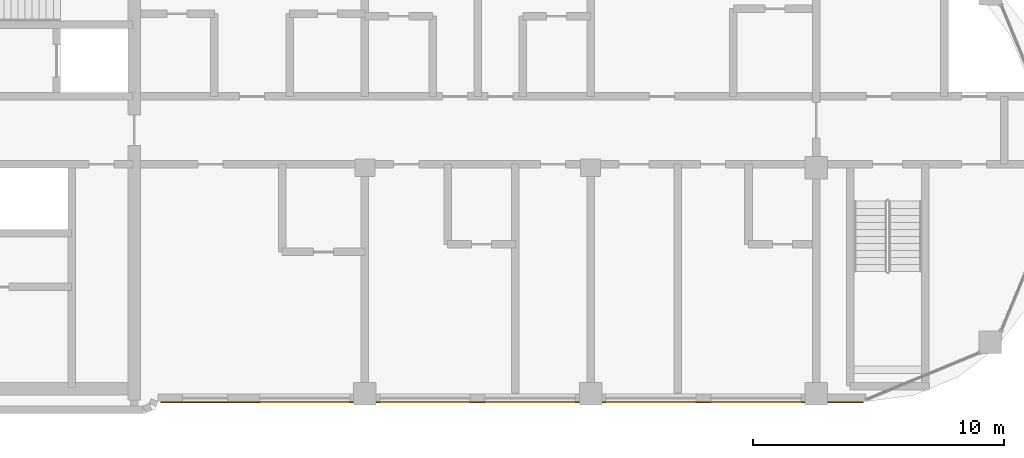
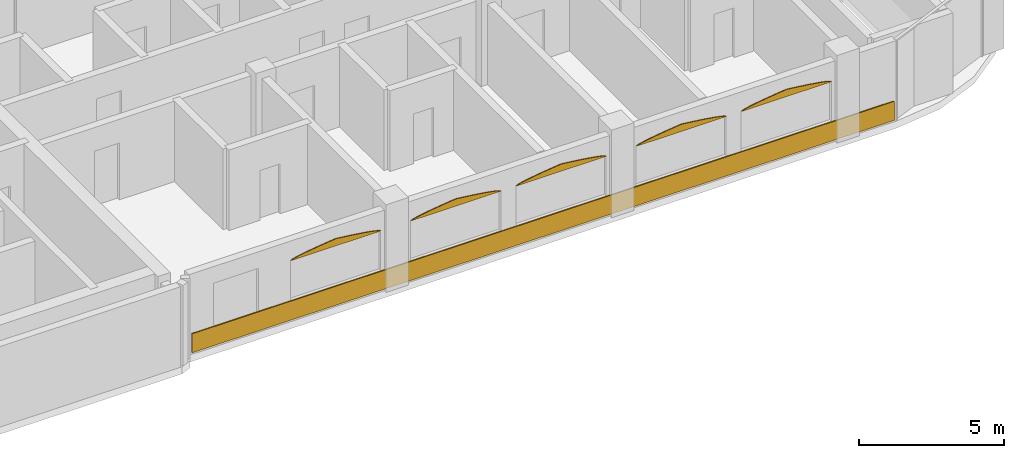
# One storey, part 16 of 17: 6 coverings.
"""IFC4 building model written with IfcOpenShell, lengths in metres."""

import ifcopenshell
import ifcopenshell.guid

model = None  # the IFC model being written
_history = None  # IfcOwnerHistory: only IFC2X3 demands one
_inside = {}  # id of a spatial element -> (the spatial element, [elements in it])
_under = {}  # id of a project, library or spatial element -> (it, [spatial elements below it])
_declared = {}  # id of a project -> (the project, [libraries it declares])
_typed = {}  # id of a type object -> (the type object, [elements of that type])
_made_of = {}  # id of a material, layer set ... -> (it, [elements and type objects made of it])


def new_model(schema):
    """Start an empty IFC model of exactly this schema.

    Asked for "IFC4X3", IfcOpenShell would pick the latest addendum, in which some entities
    have other attributes; the version numbers below select the first issue.
    IFC2X3 requires an IfcOwnerHistory on every rooted entity: one is made here for all.
    """
    global model, _history
    if schema == "IFC4X3":
        model = ifcopenshell.file(schema_version=(4, 3, 0, 0))
    else:
        model = ifcopenshell.file(schema=schema)
    _inside.clear()
    _under.clear()
    _declared.clear()
    _typed.clear()
    _made_of.clear()
    _history = None
    if model.schema == "IFC2X3":
        org = make("IfcOrganization", Name="unknown")
        user = make(
            "IfcPersonAndOrganization",
            ThePerson=make("IfcPerson", FamilyName="unknown"),
            TheOrganization=org,
        )
        app = make(
            "IfcApplication",
            ApplicationDeveloper=org,
            Version="unknown",
            ApplicationFullName="unknown",
            ApplicationIdentifier="unknown",
        )
        _history = make(
            "IfcOwnerHistory",
            OwningUser=user,
            OwningApplication=app,
            ChangeAction="ADDED",
            CreationDate=0,
        )
    return model


def make(cls, **values):
    """One entity of the class cls with the attributes given. An attribute that is None is left unset."""
    return model.create_entity(
        cls, **{name: value for name, value in values.items() if value is not None}
    )


def rooted(cls, **values):
    """An entity with a GlobalId (a new one), such as an element, a storey or a relation."""
    return make(cls, GlobalId=ifcopenshell.guid.new(), OwnerHistory=_history, **values)


def si_unit(unit_type, name, prefix=None):
    """IfcSIUnit, for example si_unit("LENGTHUNIT", "METRE", prefix="MILLI")."""
    return make("IfcSIUnit", UnitType=unit_type, Prefix=prefix, Name=name)


def assignment(units):
    """IfcUnitAssignment: the units of a project."""
    return None if units is None else make("IfcUnitAssignment", Units=units)


def point(xyz):
    """IfcCartesianPoint."""
    return None if xyz is None else make("IfcCartesianPoint", Coordinates=xyz)


def direction(xyz):
    """IfcDirection."""
    return None if xyz is None else make("IfcDirection", DirectionRatios=xyz)


def frame(location, z_axis=None, x_axis=None):
    """IfcAxis2Placement3D, a coordinate frame: its origin and axes. An axis left out is left unset."""
    return make(
        "IfcAxis2Placement3D",
        Location=point(location),
        Axis=direction(z_axis),
        RefDirection=direction(x_axis),
    )


def frame_2d(location, x_axis=None):
    """IfcAxis2Placement2D, a coordinate frame in the plane: its origin and x axis."""
    return make(
        "IfcAxis2Placement2D", Location=point(location), RefDirection=direction(x_axis)
    )


def origin():
    """The frame at (0, 0, 0) with its axes left unset."""
    return frame((0.0, 0.0, 0.0))


def origin_2d():
    """The frame at (0, 0) in the plane with its x axis left unset."""
    return frame_2d((0.0, 0.0))


def place(relative_to, where):
    """IfcLocalPlacement: puts the frame where relative to a parent placement (None: the world)."""
    return make(
        "IfcLocalPlacement", PlacementRelTo=relative_to, RelativePlacement=where
    )


def context(
    kind, dimensions, precision=None, world=None, true_north=None, identifier=None
):
    """IfcGeometricRepresentationContext, for example the 3D "Model" context."""
    return make(
        "IfcGeometricRepresentationContext",
        ContextIdentifier=identifier,
        ContextType=kind,
        CoordinateSpaceDimension=dimensions,
        Precision=precision,
        WorldCoordinateSystem=world,
        TrueNorth=true_north,
    )


def subcontext(parent, identifier, kind, view, scale=None):
    """IfcGeometricRepresentationSubContext, for example "Body" below "Model"."""
    return make(
        "IfcGeometricRepresentationSubContext",
        ContextIdentifier=identifier,
        ContextType=kind,
        ParentContext=parent,
        TargetScale=scale,
        TargetView=view,
    )


def project(units=None, contexts=None):
    """IfcProject with its units and contexts."""
    return rooted(
        "IfcProject",
        Name="project",
        RepresentationContexts=contexts,
        UnitsInContext=assignment(units),
    )


def spatial(cls, under=None, at=None, **own):
    """A site, building, storey or space (cls), placed at a placement, below another one or the project."""
    s = rooted(cls, ObjectPlacement=at, **own)
    if under is not None:
        _under.setdefault(under.id(), (under, []))[1].append(s)
    return s


def polyline(points):
    """IfcPolyline through the points."""
    return make("IfcPolyline", Points=[point(p) for p in points])


def profile(cls, at=None, kind="AREA", **sizes):
    """A parametric profile (cls). Its sizes go by their IFC names, for example OverallWidth=200.0."""
    return make(cls, ProfileType=kind, Position=at, **sizes)


def rectangle(**sizes):
    """IfcRectangleProfileDef."""
    return profile("IfcRectangleProfileDef", **sizes)


def outline(outer, holes=None, kind="AREA"):
    """IfcArbitraryClosedProfileDef: a profile drawn as a closed curve; with holes, ...WithVoids."""
    if holes is None:
        return make("IfcArbitraryClosedProfileDef", ProfileType=kind, OuterCurve=outer)
    return make(
        "IfcArbitraryProfileDefWithVoids",
        ProfileType=kind,
        OuterCurve=outer,
        InnerCurves=holes,
    )


def extrude(swept, where, along, depth):
    """IfcExtrudedAreaSolid: the profile swept, set in the frame where, extruded along a direction by depth."""
    return make(
        "IfcExtrudedAreaSolid",
        SweptArea=swept,
        Position=where,
        ExtrudedDirection=direction(along),
        Depth=depth,
    )


def shape(context_of_items, identifier, shape_type, items):
    """IfcShapeRepresentation: the items that make up one representation, for example the "Body"."""
    return make(
        "IfcShapeRepresentation",
        ContextOfItems=context_of_items,
        RepresentationIdentifier=identifier,
        RepresentationType=shape_type,
        Items=items,
    )


def material(Name=None, Category=None):
    """IfcMaterial."""
    return make("IfcMaterial", Name=Name, Category=Category)


def layer(
    of_material, thickness, ventilated=None, Name=None, Category=None, Priority=None
):
    """IfcMaterialLayer: one layer of a wall or slab, of a material (None: an air gap)."""
    return make(
        "IfcMaterialLayer",
        Material=of_material,
        LayerThickness=thickness,
        IsVentilated=ventilated,
        Name=Name,
        Category=Category,
        Priority=Priority,
    )


def layer_set(layers, Name=None):
    """IfcMaterialLayerSet."""
    return make("IfcMaterialLayerSet", MaterialLayers=layers, LayerSetName=Name)


def made_of(thing, what):
    """Note that an element or type object is made of a material, layer set ...; save() writes the relation."""
    if what is not None:
        _made_of.setdefault(what.id(), (what, []))[1].append(thing)
    return thing


def type_object(cls, material=None, **own):
    """A type object (cls), such as IfcWallType, which elements share."""
    return made_of(rooted(cls, **own), material)


def element(
    cls,
    number,
    at=None,
    inside=None,
    cuts=None,
    type_object=None,
    material=None,
    context=None,
    identifier="Body",
    shape_type=None,
    held_by="IfcProductDefinitionShape",
    body=None,
    shapes=None,
    **own,
):
    """One element of the class cls, such as IfcWall. Its Tag is "e" and its number.

    at: its placement. inside: the storey or other place that contains it. cuts: it is an
    opening in that element (IfcRelVoidsElement). A single representation is given by context,
    identifier, shape_type and body (its items); several are given by shapes. held_by: the class
    of the entity that holds the representations. save() writes the other relations.
    """
    e = rooted(cls, Tag="e%d" % number, ObjectPlacement=at, **own)
    if body is not None:
        shapes = [shape(context, identifier, shape_type, body)]
    if shapes is not None:
        e.Representation = make(held_by, Representations=shapes)
    if inside is not None:
        _inside.setdefault(inside.id(), (inside, []))[1].append(e)
    if cuts is not None:
        rooted(
            "IfcRelVoidsElement", RelatingBuildingElement=cuts, RelatedOpeningElement=e
        )
    if type_object is not None:
        _typed.setdefault(type_object.id(), (type_object, []))[1].append(e)
    return made_of(e, material)


def aggregate(whole, parts):
    """IfcRelAggregates: a whole, such as a stair, and the parts it consists of."""
    return rooted("IfcRelAggregates", RelatingObject=whole, RelatedObjects=parts)


def save(model, path):
    """Write the relations noted so far, then the file.

    IfcRelAggregates (storeys below a building ...), IfcRelContainedInSpatialStructure (elements
    in a storey), IfcRelDefinesByType, IfcRelAssociatesMaterial and IfcRelDeclares: one each for
    every whole, place, type object, material and project.
    """
    for whole, parts in _under.values():
        aggregate(whole, parts)
    for where, things in _inside.values():
        rooted(
            "IfcRelContainedInSpatialStructure",
            RelatedElements=things,
            RelatingStructure=where,
        )
    for kind, things in _typed.values():
        rooted("IfcRelDefinesByType", RelatedObjects=things, RelatingType=kind)
    for what, things in _made_of.values():
        rooted("IfcRelAssociatesMaterial", RelatedObjects=things, RelatingMaterial=what)
    for by, libraries in _declared.values():
        rooted("IfcRelDeclares", RelatingContext=by, RelatedDefinitions=libraries)
    model.write(path)


model = new_model("IFC4")

# Units and contexts
model_context = context("Model", 3, precision=1e-05, world=origin(), true_north=direction((0.0, 1.0)))
body_context = subcontext(model_context, "Body", "Model", "MODEL_VIEW")
ifc_project = project(units=[si_unit("LENGTHUNIT", "METRE"), si_unit("AREAUNIT", "SQUARE_METRE"), si_unit("VOLUMEUNIT", "CUBIC_METRE"), si_unit("PLANEANGLEUNIT", "RADIAN"), si_unit("MASSUNIT", "GRAM", prefix="KILO")], contexts=[model_context])

# Site, building, storey
site_placement = place(None, origin())
site = spatial("IfcSite", under=ifc_project, at=site_placement, CompositionType="ELEMENT")
building_placement = place(site_placement, origin())
building = spatial("IfcBuilding", under=site, at=building_placement, Name="Ogive Portal Towers", CompositionType="ELEMENT")
storey_placement = place(building_placement, frame((0.0, 0.0, 221.699951171875)))
storey = spatial("IfcBuildingStorey", under=building, at=storey_placement, Name="L55", CompositionType="ELEMENT", Elevation=221.699951171875)

# Coverings
ifc_material = material(Name="Limestone cladding on lightweight block wall", Category="masonry")
ifc_layer_1 = layer(ifc_material, 0.0400390625)
ifc_layer_set_1 = layer_set([ifc_layer_1], Name="LANCET HEAD STONE")
covering_type_1 = type_object("IfcCoveringType", Name="LANCET HEAD STONE", PredefinedType="CLADDING", material=ifc_layer_set_1)
covering_1_placement = place(storey_placement, frame((63.300048828125, 21.179931640625, 2.60009765625), z_axis=(0.0, 0.999955558449, 0.009427678766), x_axis=(1.0, 0.0, 0.0)))
element("IfcCovering", 1, at=covering_1_placement, inside=storey, type_object=covering_type_1, Name="Lancet head", PredefinedType="CLADDING", context=body_context, shape_type="SweptSolid", body=[
    extrude(outline(polyline([(0.0, 0.0), (3.599853515625, 0.0), (3.5205078125, -0.03735415725621718), (3.375, -0.07495474596683256), (3.1865234375, -0.1125530329980617), (2.963623046875, -0.14990949193366512), (2.71044921875, -0.18750777896489426), (2.430908203125, -0.2248642379004977), (2.126708984375, -0.26246252493172684), (1.800048828125, -0.3000631136423422), (1.47314453125, -0.26246252493172684), (1.169189453125, -0.2248642379004977), (0.889404296875, -0.18750777896489426), (0.63623046875, -0.14990949193366512), (0.413330078125, -0.1125530329980617), (0.224853515625, -0.07495474596683256), (0.07958984375, -0.03735415725621718), (0.0, 0.0)])), origin(), (0.0, 0.0, -1.0), 0.0400390625),
])
covering_2_placement = place(storey_placement, frame((68.10009765625, 21.179931640625, 2.60009765625), z_axis=(0.0, 0.999955558449, 0.009427678766), x_axis=(1.0, 0.0, 0.0)))
element("IfcCovering", 2, at=covering_2_placement, inside=storey, type_object=covering_type_1, Name="Lancet head", PredefinedType="CLADDING", context=body_context, shape_type="SweptSolid", body=[
    extrude(outline(polyline([(0.0, 0.0), (3.599853515625, 0.0), (3.520263671875, -0.03735415725621718), (3.375, -0.07495474596683256), (3.1865234375, -0.1125530329980617), (2.963623046875, -0.14990949193366512), (2.71044921875, -0.18750777896489426), (2.4306640625, -0.2248642379004977), (2.126708984375, -0.26246252493172684), (1.7998046875, -0.3000631136423422), (1.47314453125, -0.26246252493172684), (1.1689453125, -0.2248642379004977), (0.889404296875, -0.18750777896489426), (0.63623046875, -0.14990949193366512), (0.413330078125, -0.1125530329980617), (0.224853515625, -0.07495474596683256), (0.079345703125, -0.03735415725621718), (0.0, 0.0)])), origin(), (0.0, 0.0, -1.0), 0.0400390625),
])
covering_3_placement = place(storey_placement, frame((72.300048828125, 21.179931640625, 2.60009765625), z_axis=(0.0, 0.999955558449, 0.009427678766), x_axis=(1.0, 0.0, 0.0)))
element("IfcCovering", 3, at=covering_3_placement, inside=storey, type_object=covering_type_1, Name="Lancet head", PredefinedType="CLADDING", context=body_context, shape_type="SweptSolid", body=[
    extrude(outline(polyline([(0.0, 0.0), (3.599853515625, 0.0), (3.5205078125, -0.03735415725621718), (3.375, -0.07495474596683256), (3.1865234375, -0.1125530329980617), (2.963623046875, -0.14990949193366512), (2.71044921875, -0.18750777896489426), (2.430908203125, -0.2248642379004977), (2.126708984375, -0.26246252493172684), (1.800048828125, -0.3000631136423422), (1.47314453125, -0.26246252493172684), (1.169189453125, -0.2248642379004977), (0.889404296875, -0.18750777896489426), (0.63623046875, -0.14990949193366512), (0.413330078125, -0.1125530329980617), (0.224853515625, -0.07495474596683256), (0.07958984375, -0.03735415725621718), (0.0, 0.0)])), origin(), (0.0, 0.0, -1.0), 0.0400390625),
])
covering_4_placement = place(storey_placement, frame((77.10009765625, 21.179931640625, 2.60009765625), z_axis=(0.0, 0.999955558449, 0.009427678766), x_axis=(1.0, 0.0, 0.0)))
element("IfcCovering", 4, at=covering_4_placement, inside=storey, type_object=covering_type_1, Name="Lancet head", PredefinedType="CLADDING", context=body_context, shape_type="SweptSolid", body=[
    extrude(outline(polyline([(0.0, 0.0), (3.599853515625, 0.0), (3.520263671875, -0.03735415725621718), (3.375, -0.07495474596683256), (3.1865234375, -0.1125530329980617), (2.963623046875, -0.14990949193366512), (2.71044921875, -0.18750777896489426), (2.4306640625, -0.2248642379004977), (2.126708984375, -0.26246252493172684), (1.7998046875, -0.3000631136423422), (1.47314453125, -0.26246252493172684), (1.1689453125, -0.2248642379004977), (0.889404296875, -0.18750777896489426), (0.63623046875, -0.14990949193366512), (0.413330078125, -0.1125530329980617), (0.224853515625, -0.07495474596683256), (0.079345703125, -0.03735415725621718), (0.0, 0.0)])), origin(), (0.0, 0.0, -1.0), 0.0400390625),
])
covering_5_placement = place(storey_placement, frame((81.300048828125, 21.179931640625, 2.60009765625), z_axis=(0.0, 0.999955558449, 0.009427678766), x_axis=(1.0, 0.0, 0.0)))
element("IfcCovering", 5, at=covering_5_placement, inside=storey, type_object=covering_type_1, Name="Lancet head", PredefinedType="CLADDING", context=body_context, shape_type="SweptSolid", body=[
    extrude(outline(polyline([(0.0, 0.0), (3.599853515625, 0.0), (3.5205078125, -0.03735415725621718), (3.375, -0.07495474596683256), (3.1865234375, -0.1125530329980617), (2.963623046875, -0.14990949193366512), (2.71044921875, -0.18750777896489426), (2.430908203125, -0.2248642379004977), (2.126708984375, -0.26246252493172684), (1.800048828125, -0.3000631136423422), (1.47314453125, -0.26246252493172684), (1.169189453125, -0.2248642379004977), (0.889404296875, -0.18750777896489426), (0.63623046875, -0.14990949193366512), (0.413330078125, -0.1125530329980617), (0.224853515625, -0.07495474596683256), (0.07958984375, -0.03735415725621718), (0.0, 0.0)])), origin(), (0.0, 0.0, -1.0), 0.0400390625),
])
ifc_layer_2 = layer(ifc_material, 0.050048828125)
ifc_layer_set_2 = layer_set([ifc_layer_2], Name="SCREEN PERFORATED STONE")
covering_type_2 = type_object("IfcCoveringType", Name="SCREEN PERFORATED STONE", PredefinedType="CLADDING", material=ifc_layer_set_2)
covering_6_placement = place(storey_placement, frame((73.3671875, 21.155029296875, 0.10009765625), z_axis=(0.0, 0.0, 1.0), x_axis=(1.0, 0.0, 0.0)))
element("IfcCovering", 6, at=covering_6_placement, inside=storey, type_object=covering_type_2, Name="Tracery screen", PredefinedType="CLADDING", context=body_context, shape_type="SweptSolid", body=[
    extrude(rectangle(XDim=28.03369140625, YDim=0.050048828125, at=origin_2d()), origin(), (0.0, 0.0, 1.0), 0.800048828125),
])

save(model, "model.ifc")
